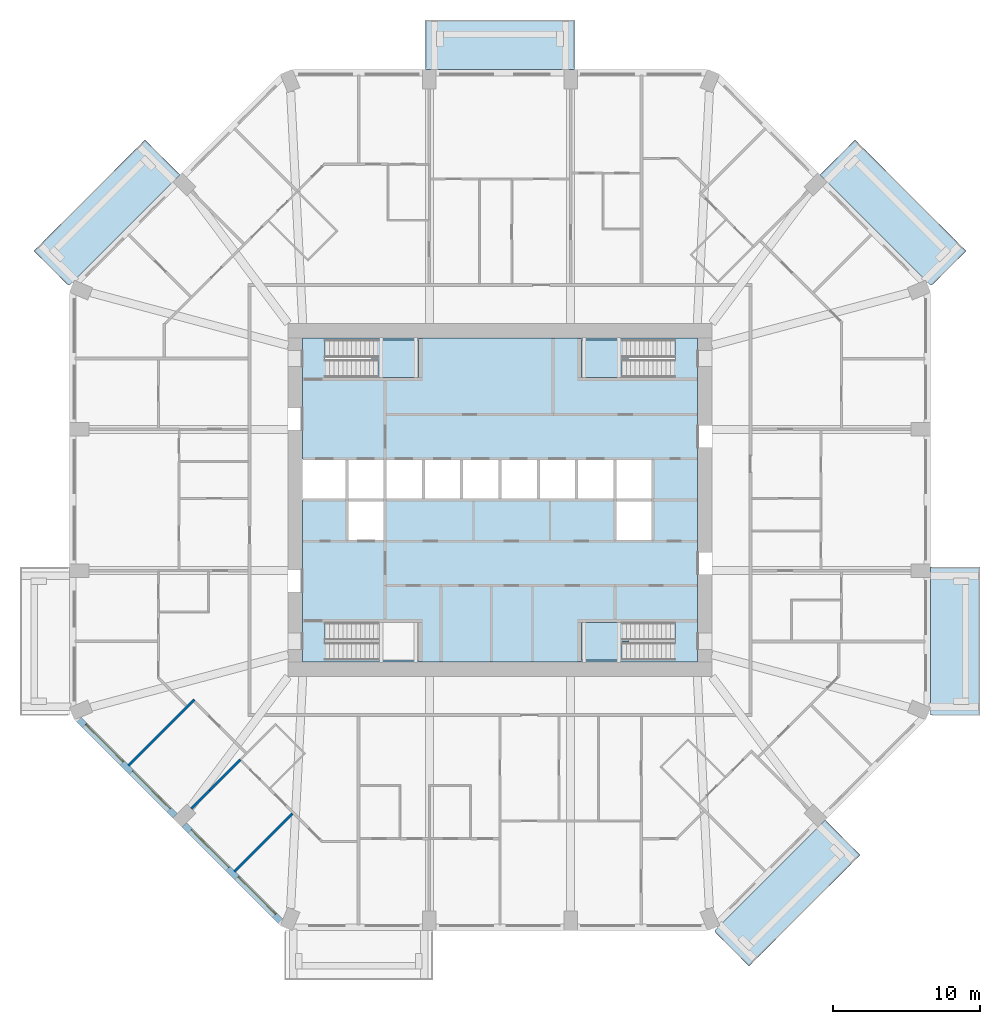
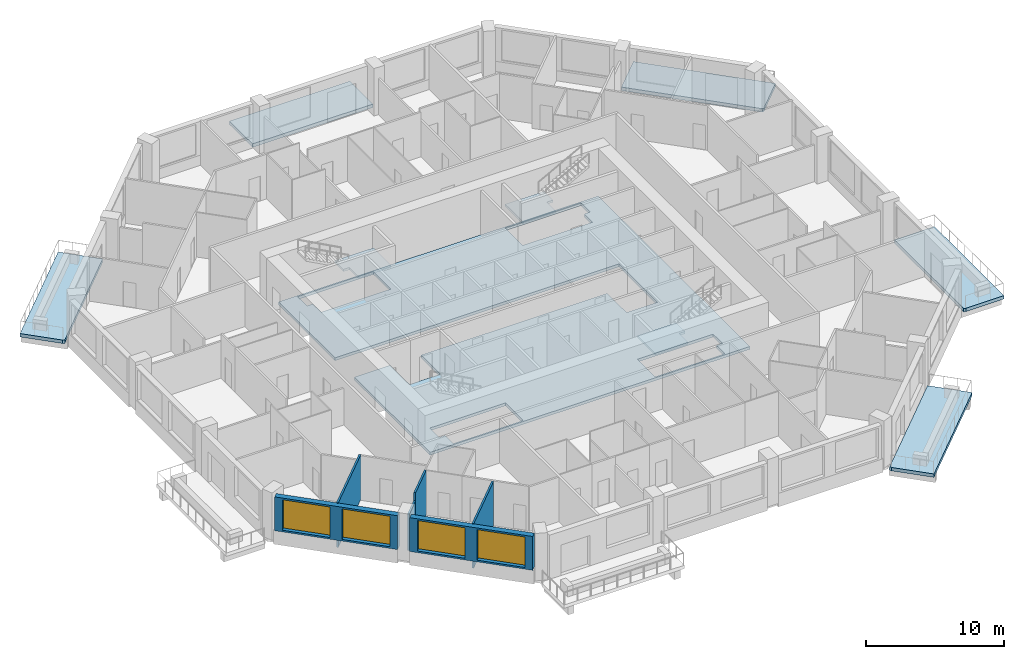
# One storey, part 2 of 13: 9 slabs, 6 walls, 4 windows, 4 openings, 3 elements without a shape of their own.
"""IFC4 building model written with IfcOpenShell, lengths in metres."""

from ifc_helpers import new_model, si_unit, direction, frame, frame_2d, origin, place, context, subcontext, project, spatial, polyline, rectangle, outline, extrude, material, layer, layer_set, type_object, element, fill, aggregate, save


model = new_model("IFC4")

# Units and contexts
model_context = context("Model", 3, precision=1e-05, world=origin(), true_north=direction((0.0, 1.0)))
body_context = subcontext(model_context, "Body", "Model", "MODEL_VIEW")
ifc_project = project(units=[si_unit("LENGTHUNIT", "METRE"), si_unit("AREAUNIT", "SQUARE_METRE"), si_unit("VOLUMEUNIT", "CUBIC_METRE"), si_unit("PLANEANGLEUNIT", "RADIAN"), si_unit("MASSUNIT", "GRAM", prefix="KILO")], contexts=[model_context])

# Site, building, storey
site_placement = place(None, origin())
site = spatial("IfcSite", under=ifc_project, at=site_placement, CompositionType="ELEMENT")
building_placement = place(site_placement, origin())
building = spatial("IfcBuilding", under=site, at=building_placement, Name="Msitu Wima Residences", CompositionType="ELEMENT")
storey_placement = place(building_placement, frame((0.0, 0.0, 50.699951171875)))
storey = spatial("IfcBuildingStorey", under=building, at=storey_placement, Name="L11", CompositionType="ELEMENT", Elevation=50.699951171875)

# Slabs
ifc_material_1 = material(Name="Concrete C40/50", Category="concrete")
ifc_layer_1 = layer(ifc_material_1, 0.300048828125)
ifc_layer_set_1 = layer_set([ifc_layer_1], Name="Concrete C40/50")
slab_type_1 = type_object("IfcSlabType", Name="Balcony slab BS300", PredefinedType="FLOOR", material=ifc_layer_set_1)
slab_1_placement = place(storey_placement, frame((0.0, 0.0, -0.300048828125)))
element("IfcSlab", 1, at=slab_1_placement, inside=storey, type_object=slab_type_1, Name="Balcony E0 L11", PredefinedType="FLOOR", context=body_context, shape_type="SweptSolid", body=[
    extrude(outline(polyline([(29.25, -14.099365234375), (29.25, -14.099365234375), (29.25, -5.25), (29.25, -4.550048828125), (32.60009765625, -4.550048828125), (32.60009765625, -14.64990234375), (29.403564453125, -14.64990234375), (29.25, -14.58642578125), (29.25, -14.099365234375), (29.25, -14.099365234375)])), origin(), (0.0, 0.0, 1.0), 0.300048828125),
])
slab_2_placement = place(storey_placement, frame((0.0, 0.0, -0.300048828125)))
element("IfcSlab", 2, at=slab_2_placement, inside=storey, type_object=slab_type_1, Name="Balcony NE0 L11", PredefinedType="FLOOR", context=body_context, shape_type="SweptSolid", body=[
    extrude(outline(polyline([(24.1103515625, 24.4638671875), (31.663818359375, 16.91015625), (29.403564453125, 14.64990234375), (29.25, 14.58642578125), (21.741455078125, 22.094970703125), (24.1103515625, 24.4638671875)])), origin(), (0.0, 0.0, 1.0), 0.300048828125),
])
slab_3_placement = place(storey_placement, frame((0.0, 0.0, -0.300048828125)))
element("IfcSlab", 3, at=slab_3_placement, inside=storey, type_object=slab_type_1, Name="Balcony N1 L11", PredefinedType="FLOOR", context=body_context, shape_type="SweptSolid", body=[
    extrude(outline(polyline([(4.35009765625, 29.25), (-4.35009765625, 29.25), (-5.050048828125, 29.25), (-5.050048828125, 32.60009765625), (5.050048828125, 32.60009765625), (5.050048828125, 29.25), (4.35009765625, 29.25)])), origin(), (0.0, 0.0, 1.0), 0.300048828125),
])
slab_4_placement = place(storey_placement, frame((0.0, 0.0, -0.300048828125)))
element("IfcSlab", 4, at=slab_4_placement, inside=storey, type_object=slab_type_1, Name="Balcony NW1 L11", PredefinedType="FLOOR", context=body_context, shape_type="SweptSolid", body=[
    extrude(outline(polyline([(-31.663818359375, 16.91015625), (-24.1103515625, 24.4638671875), (-21.741455078125, 22.094970703125), (-29.25, 14.58642578125), (-29.403564453125, 14.64990234375), (-31.663818359375, 16.91015625)])), origin(), (0.0, 0.0, 1.0), 0.300048828125),
])
slab_5_placement = place(storey_placement, frame((0.0, 0.0, -0.300048828125)))
element("IfcSlab", 5, at=slab_5_placement, inside=storey, type_object=slab_type_1, Name="Balcony SE0 L11", PredefinedType="FLOOR", context=body_context, shape_type="SweptSolid", body=[
    extrude(outline(polyline([(24.4638671875, -24.1103515625), (16.91015625, -31.663818359375), (14.64990234375, -29.403564453125), (14.58642578125, -29.25), (22.094970703125, -21.741455078125), (24.4638671875, -24.1103515625)])), origin(), (0.0, 0.0, 1.0), 0.300048828125),
])
ifc_layer_2 = layer(ifc_material_1, 0.25)
ifc_layer_set_2 = layer_set([ifc_layer_2], Name="Concrete C40/50")
slab_type_2 = type_object("IfcSlabType", Name="Core floor CF250", PredefinedType="FLOOR", material=ifc_layer_set_2)
slab_6_placement = place(storey_placement, frame((0.0, 0.0, -0.25)))
element("IfcSlab", 6, at=slab_6_placement, inside=storey, type_object=slab_type_2, Name="Core floor", PredefinedType="FLOOR", context=body_context, shape_type="SweptSolid", body=[
    extrude(outline(polyline([(-13.39990234375, 11.0), (-13.39990234375, 2.800048828125), (-10.39990234375, 2.800048828125), (-7.800048828125, 2.800048828125), (-5.199951171875, 2.800048828125), (-2.60009765625, 2.800048828125), (0.0, 2.800048828125), (2.60009765625, 2.800048828125), (5.199951171875, 2.800048828125), (7.800048828125, 2.800048828125), (10.39990234375, 2.800048828125), (10.39990234375, 0.0), (10.39990234375, -2.800048828125), (7.800048828125, -2.800048828125), (7.800048828125, 0.0), (5.199951171875, 0.0), (2.60009765625, 0.0), (0.0, 0.0), (-2.60009765625, 0.0), (-5.199951171875, 0.0), (-7.800048828125, 0.0), (-7.800048828125, -2.800048828125), (-10.39990234375, -2.800048828125), (-10.39990234375, 0.0), (-13.39990234375, 0.0), (-13.39990234375, -11.0), (13.39990234375, -11.0), (13.39990234375, 11.0), (-13.39990234375, 11.0)]), holes=[polyline([(-11.375, -10.875), (-11.375, -9.675048828125), (-11.87451171875, -9.675048828125), (-11.87451171875, -8.324951171875), (-5.52490234375, -8.324951171875), (-5.52490234375, -10.875), (-11.375, -10.875)]), polyline([(-11.375, 9.52490234375), (-11.87451171875, 9.52490234375), (-11.87451171875, 10.875), (-5.52490234375, 10.875), (-5.52490234375, 8.324951171875), (-11.375, 8.324951171875), (-11.375, 9.52490234375)]), polyline([(11.375, -9.675048828125), (11.375, -10.875), (5.52490234375, -10.875), (5.52490234375, -8.324951171875), (11.87451171875, -8.324951171875), (11.87451171875, -9.675048828125), (11.375, -9.675048828125)]), polyline([(11.375, 9.52490234375), (11.375, 8.324951171875), (5.52490234375, 8.324951171875), (5.52490234375, 10.875), (11.87451171875, 10.875), (11.87451171875, 9.52490234375), (11.375, 9.52490234375)])]), origin(), (0.0, 0.0, 1.0), 0.25),
])

# Stair, slab
stair_type = type_object("IfcStairType", Name="Exit stair ES1615-120", PredefinedType="HALF_TURN_STAIR", material=ifc_material_1)
stair_1_placement = place(storey_placement, origin())
stair_1 = element("IfcStair", 7, at=stair_1_placement, inside=storey, type_object=stair_type, Name="Exit stair 1", PredefinedType="HALF_TURN_STAIR")
ifc_layer_3 = layer(ifc_material_1, 0.199951171875)
ifc_layer_set_3 = layer_set([ifc_layer_3], Name="Concrete C40/50")
slab_type_3 = type_object("IfcSlabType", Name="Stair landing SL200", PredefinedType="LANDING", material=ifc_layer_set_3)
slab_7_placement = place(storey_placement, frame((0.0, 0.0, 1.900146484375)))
slab_7 = element("IfcSlab", 8, at=slab_7_placement, type_object=slab_type_3, Name="S1 landing 1", PredefinedType="LANDING", context=body_context, shape_type="SweptSolid", body=[
    extrude(outline(polyline([(-5.52490234375, 8.324951171875), (-8.275390625, 8.324951171875), (-8.275390625, 9.60009765625), (-8.77490234375, 9.60009765625), (-8.77490234375, 10.875), (-5.52490234375, 10.875), (-5.52490234375, 8.324951171875)])), origin(), (0.0, 0.0, 1.0), 0.199951171875),
])
aggregate(stair_1, [slab_7])

stair_2_placement = place(storey_placement, origin())
stair_2 = element("IfcStair", 9, at=stair_2_placement, inside=storey, type_object=stair_type, Name="Exit stair 3", PredefinedType="HALF_TURN_STAIR")
slab_8_placement = place(storey_placement, frame((0.0, 0.0, 1.900146484375)))
slab_8 = element("IfcSlab", 10, at=slab_8_placement, type_object=slab_type_3, Name="S3 landing 1", PredefinedType="LANDING", context=body_context, shape_type="SweptSolid", body=[
    extrude(outline(polyline([(5.52490234375, 8.324951171875), (8.275390625, 8.324951171875), (8.275390625, 9.60009765625), (8.77490234375, 9.60009765625), (8.77490234375, 10.875), (5.52490234375, 10.875), (5.52490234375, 8.324951171875)])), origin(), (0.0, 0.0, 1.0), 0.199951171875),
])
aggregate(stair_2, [slab_8])

stair_3_placement = place(storey_placement, origin())
stair_3 = element("IfcStair", 11, at=stair_3_placement, inside=storey, type_object=stair_type, Name="Exit stair 4", PredefinedType="HALF_TURN_STAIR")
slab_9_placement = place(storey_placement, frame((0.0, 0.0, 1.900146484375)))
slab_9 = element("IfcSlab", 12, at=slab_9_placement, type_object=slab_type_3, Name="S4 landing 1", PredefinedType="LANDING", context=body_context, shape_type="SweptSolid", body=[
    extrude(outline(polyline([(5.52490234375, -10.875), (8.275390625, -10.875), (8.275390625, -9.60009765625), (8.77490234375, -9.60009765625), (8.77490234375, -8.324951171875), (5.52490234375, -8.324951171875), (5.52490234375, -10.875)])), origin(), (0.0, 0.0, 1.0), 0.199951171875),
])
aggregate(stair_3, [slab_9])

# Wall, openings, windows
ifc_material_2 = material(Name="Brick (red buff mix)", Category="masonry")
ifc_layer_4 = layer(ifc_material_2, 0.449951171875)
ifc_layer_set_4 = layer_set([ifc_layer_4], Name="Brick (red buff mix)")
wall_type_1 = type_object("IfcWallType", Name="Brick infill wall BW450", PredefinedType="SOLIDWALL", material=ifc_layer_set_4)
wall_1_placement = place(storey_placement, frame((-28.61474609375, -14.903564453125, 0.900146484375), z_axis=(0.0, 0.0, 1.0), x_axis=(0.707106781187, -0.707106781187, 0.0)))
wall_1 = element("IfcWall", 13, at=wall_1_placement, inside=storey, type_object=wall_type_1, Name="Brick infill wall L11 SW0", PredefinedType="SOLIDWALL", context=body_context, shape_type="SweptSolid", body=[
    extrude(rectangle(XDim=9.2451171875, YDim=0.449951171875, at=frame_2d((4.62255859375, 0.0))), origin(), (0.0, 0.0, 1.0), 3.0),
])
opening_1_placement = place(wall_1_placement, frame((0.572509765625, 0.0, 0.14990234375)))
opening_1 = element("IfcOpeningElement", 14, at=opening_1_placement, cuts=wall_1, Name="Opening W11-12.025", PredefinedType="OPENING", context=body_context, shape_type="SweptSolid", body=[
    extrude(rectangle(XDim=3.60009765625, YDim=2.699951171875, at=frame_2d((1.800048828125, 1.35009765625))), frame((0.0, 0.23486328125, 0.0), z_axis=(0.0, -1.0, 0.0), x_axis=(1.0, 0.0, 0.0)), (0.0, 0.0, 1.0), 0.469970703125),
])
opening_2_placement = place(wall_1_placement, frame((5.072509765625, 0.0, 0.14990234375)))
opening_2 = element("IfcOpeningElement", 15, at=opening_2_placement, cuts=wall_1, Name="Opening W11-12.026", PredefinedType="OPENING", context=body_context, shape_type="SweptSolid", body=[
    extrude(rectangle(XDim=3.60009765625, YDim=2.699951171875, at=frame_2d((1.800048828125, 1.35009765625))), frame((0.0, 0.23486328125, 0.0), z_axis=(0.0, -1.0, 0.0), x_axis=(1.0, 0.0, 0.0)), (0.0, 0.0, 1.0), 0.469970703125),
])
ifc_material_3 = material(Name="Anodised aluminium, bronze finish, clear low-emissivity double glazing", Category="aluminium")
window_type = type_object("IfcWindowType", Name="Window W3600x2700", PartitioningType="DOUBLE_PANEL_VERTICAL", PredefinedType="WINDOW", material=ifc_material_3)
window_1_placement = place(opening_1_placement, origin())
window_1 = element("IfcWindow", 16, at=window_1_placement, inside=storey, type_object=window_type, Name="Window L11 SW0.1", OverallHeight=2.699951171875, OverallWidth=3.60009765625, PartitioningType="SINGLE_PANEL", PredefinedType="WINDOW", context=body_context, shape_type="SweptSolid", body=[
    extrude(rectangle(XDim=3.60009765625, YDim=2.699951171875, at=frame_2d((1.800048828125, 1.35009765625))), frame((0.0, 0.135009765625, 0.0), z_axis=(0.0, -1.0, 0.0), x_axis=(1.0, 0.0, 0.0)), (0.0, 0.0, 1.0), 0.06005859375),
])
fill(opening_1, window_1)
window_2_placement = place(opening_2_placement, origin())
window_2 = element("IfcWindow", 17, at=window_2_placement, inside=storey, type_object=window_type, Name="Window L11 SW0.2", OverallHeight=2.699951171875, OverallWidth=3.60009765625, PartitioningType="SINGLE_PANEL", PredefinedType="WINDOW", context=body_context, shape_type="SweptSolid", body=[
    extrude(rectangle(XDim=3.60009765625, YDim=2.699951171875, at=frame_2d((1.800048828125, 1.35009765625))), frame((0.0, 0.135009765625, 0.0), z_axis=(0.0, -1.0, 0.0), x_axis=(1.0, 0.0, 0.0)), (0.0, 0.0, 1.0), 0.06005859375),
])
fill(opening_2, window_2)

wall_2_placement = place(storey_placement, frame((-21.44091796875, -22.077392578125, 0.900146484375), z_axis=(0.0, 0.0, 1.0), x_axis=(0.707106781187, -0.707106781187, 0.0)))
wall_2 = element("IfcWall", 18, at=wall_2_placement, inside=storey, type_object=wall_type_1, Name="Brick infill wall L11 SW1", PredefinedType="SOLIDWALL", context=body_context, shape_type="SweptSolid", body=[
    extrude(rectangle(XDim=9.2451171875, YDim=0.449951171875, at=frame_2d((4.62255859375, 0.0))), origin(), (0.0, 0.0, 1.0), 3.0),
])
opening_3_placement = place(wall_2_placement, frame((0.572509765625, 0.0, 0.14990234375)))
opening_3 = element("IfcOpeningElement", 19, at=opening_3_placement, cuts=wall_2, Name="Opening W11-12.027", PredefinedType="OPENING", context=body_context, shape_type="SweptSolid", body=[
    extrude(rectangle(XDim=3.60009765625, YDim=2.699951171875, at=frame_2d((1.800048828125, 1.35009765625))), frame((0.0, 0.23486328125, 0.0), z_axis=(0.0, -1.0, 0.0), x_axis=(1.0, 0.0, 0.0)), (0.0, 0.0, 1.0), 0.469970703125),
])
opening_4_placement = place(wall_2_placement, frame((5.072509765625, 0.0, 0.14990234375)))
opening_4 = element("IfcOpeningElement", 20, at=opening_4_placement, cuts=wall_2, Name="Opening W11-12.028", PredefinedType="OPENING", context=body_context, shape_type="SweptSolid", body=[
    extrude(rectangle(XDim=3.60009765625, YDim=2.699951171875, at=frame_2d((1.800048828125, 1.35009765625))), frame((0.0, 0.23486328125, 0.0), z_axis=(0.0, -1.0, 0.0), x_axis=(1.0, 0.0, 0.0)), (0.0, 0.0, 1.0), 0.469970703125),
])
window_3_placement = place(opening_3_placement, origin())
window_3 = element("IfcWindow", 21, at=window_3_placement, inside=storey, type_object=window_type, Name="Window L11 SW1.1", OverallHeight=2.699951171875, OverallWidth=3.60009765625, PartitioningType="SINGLE_PANEL", PredefinedType="WINDOW", context=body_context, shape_type="SweptSolid", body=[
    extrude(rectangle(XDim=3.60009765625, YDim=2.699951171875, at=frame_2d((1.800048828125, 1.35009765625))), frame((0.0, 0.135009765625, 0.0), z_axis=(0.0, -1.0, 0.0), x_axis=(1.0, 0.0, 0.0)), (0.0, 0.0, 1.0), 0.06005859375),
])
fill(opening_3, window_3)
window_4_placement = place(opening_4_placement, origin())
window_4 = element("IfcWindow", 22, at=window_4_placement, inside=storey, type_object=window_type, Name="Window L11 SW1.2", OverallHeight=2.699951171875, OverallWidth=3.60009765625, PartitioningType="SINGLE_PANEL", PredefinedType="WINDOW", context=body_context, shape_type="SweptSolid", body=[
    extrude(rectangle(XDim=3.60009765625, YDim=2.699951171875, at=frame_2d((1.800048828125, 1.35009765625))), frame((0.0, 0.135009765625, 0.0), z_axis=(0.0, -1.0, 0.0), x_axis=(1.0, 0.0, 0.0)), (0.0, 0.0, 1.0), 0.06005859375),
])
fill(opening_4, window_4)

# Walls
ifc_material_4 = material(Name="Plaster")
ifc_layer_5 = layer(ifc_material_4, 0.011962890625, Name="Plaster")
ifc_material_5 = material(Name="Concrete blockwork", Category="masonry")
ifc_layer_6 = layer(ifc_material_5, 0.1259765625, Name="Concrete blockwork")
ifc_layer_7 = layer(ifc_material_4, 0.011962890625, Name="Plaster")
ifc_layer_set_5 = layer_set([ifc_layer_5, ifc_layer_6, ifc_layer_7], Name="Concrete blockwork")
wall_type_2 = type_object("IfcWallType", Name="Partition PW150", PredefinedType="PARTITIONING", material=ifc_layer_set_5)
wall_3_placement = place(storey_placement, frame((-25.23876953125, -18.038818359375, 0.0), z_axis=(0.0, 0.0, 1.0), x_axis=(0.707106781187, 0.707106781187, 0.0)))
element("IfcWall", 23, at=wall_3_placement, inside=storey, type_object=wall_type_2, Name="Partition", PredefinedType="PARTITIONING", context=body_context, shape_type="SweptSolid", body=[
    extrude(rectangle(XDim=6.329833984375, YDim=0.14990234375, at=frame_2d((3.1650390625, 0.0))), origin(), (0.0, 0.0, 1.0), 3.949951171875),
])
wall_4_placement = place(storey_placement, frame((-20.963623046875, -20.963623046875, 0.0), z_axis=(0.0, 0.0, 1.0), x_axis=(0.707106781187, 0.707106781187, 0.0)))
element("IfcWall", 24, at=wall_4_placement, inside=storey, type_object=wall_type_2, Name="Partition", PredefinedType="PARTITIONING", context=body_context, shape_type="SweptSolid", body=[
    extrude(rectangle(XDim=1.74853515625, YDim=0.14990234375, at=frame_2d((0.874267578125, 0.0))), origin(), (0.0, 0.0, 1.0), 3.25),
])
wall_5_placement = place(storey_placement, frame((-19.727294921875, -19.727294921875, 0.0), z_axis=(0.0, 0.0, 1.0), x_axis=(0.707106781187, 0.707106781187, 0.0)))
element("IfcWall", 25, at=wall_5_placement, inside=storey, type_object=wall_type_2, Name="Partition", PredefinedType="PARTITIONING", context=body_context, shape_type="SweptSolid", body=[
    extrude(rectangle(XDim=2.9716796875, YDim=0.14990234375, at=frame_2d((1.48583984375, 0.0))), origin(), (0.0, 0.0, 1.0), 3.949951171875),
])
wall_6_placement = place(storey_placement, frame((-18.038818359375, -25.23876953125, 0.0), z_axis=(0.0, 0.0, 1.0), x_axis=(0.707106781187, 0.707106781187, 0.0)))
element("IfcWall", 26, at=wall_6_placement, inside=storey, type_object=wall_type_2, Name="Partition", PredefinedType="PARTITIONING", context=body_context, shape_type="SweptSolid", body=[
    extrude(rectangle(XDim=5.579833984375, YDim=0.14990234375, at=frame_2d((2.7900390625, 0.0))), origin(), (0.0, 0.0, 1.0), 3.949951171875),
])

save(model, "model.ifc")
